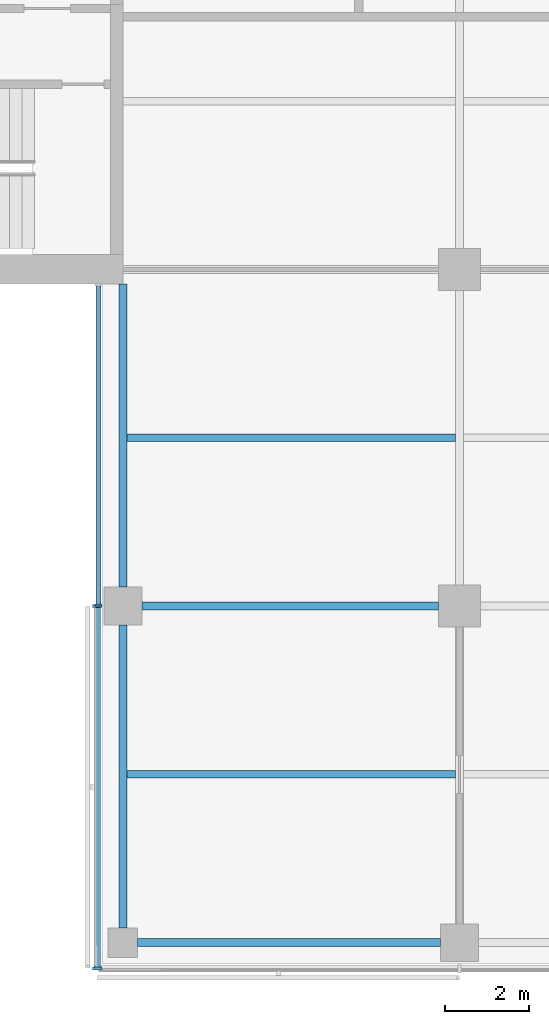
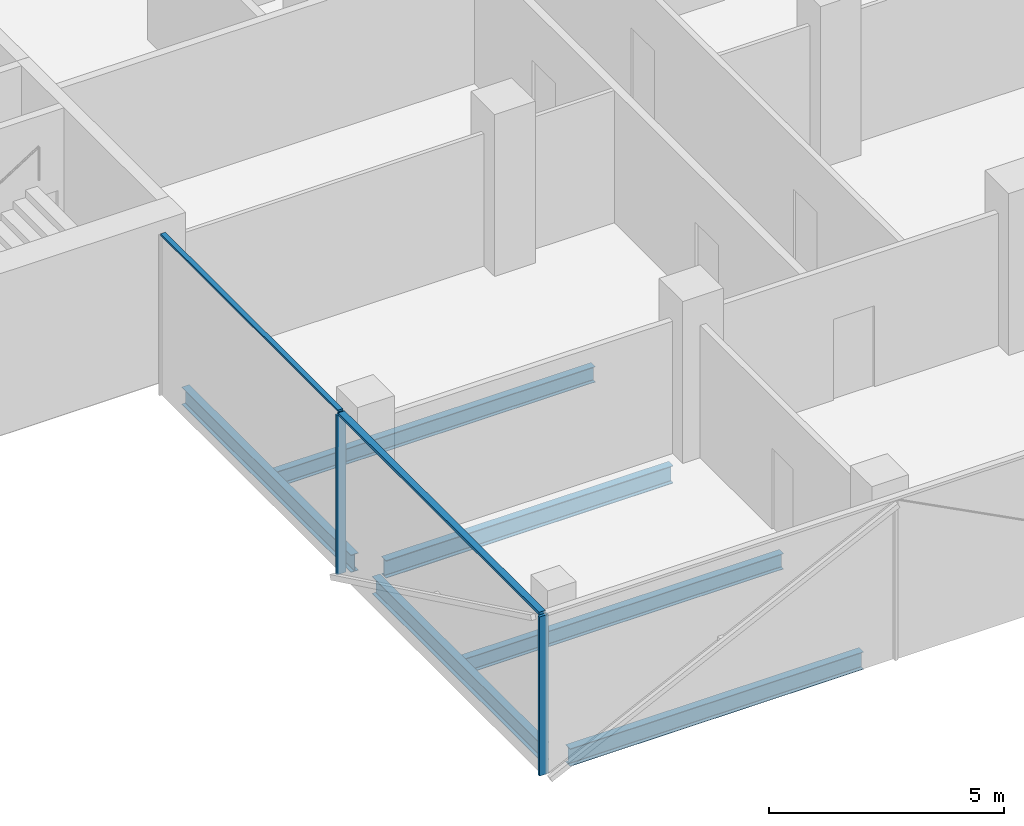
# One storey, part 2 of 22: 6 beams, 5 members, 2 elements without a shape of their own.
"""IFC4 building model written with IfcOpenShell, lengths in metres."""

from ifc_helpers import new_model, si_unit, direction, frame, origin, origin_2d, place, context, subcontext, project, spatial, rectangle, i_section, extrude, material, material_profile, profile_set, type_object, element, aggregate, save


model = new_model("IFC4")

# Units and contexts
model_context = context("Model", 3, precision=1e-05, world=origin(), true_north=direction((0.0, 1.0)))
body_context = subcontext(model_context, "Body", "Model", "MODEL_VIEW")
ifc_project = project(units=[si_unit("LENGTHUNIT", "METRE"), si_unit("AREAUNIT", "SQUARE_METRE"), si_unit("VOLUMEUNIT", "CUBIC_METRE"), si_unit("PLANEANGLEUNIT", "RADIAN"), si_unit("MASSUNIT", "GRAM", prefix="KILO")], contexts=[model_context])

# Site, building, storey
site_placement = place(None, origin())
site = spatial("IfcSite", under=ifc_project, at=site_placement, CompositionType="ELEMENT")
building_placement = place(site_placement, origin())
building = spatial("IfcBuilding", under=site, at=building_placement, Name="Crosswind Convention Tower", CompositionType="ELEMENT")
storey_placement = place(building_placement, frame((0.0, 0.0, 133.699951171875)))
storey = spatial("IfcBuildingStorey", under=building, at=storey_placement, Name="L27", CompositionType="ELEMENT", Elevation=133.699951171875)

# Beams
ifc_material_1 = material(Name="Steel S355", Category="steel")
ifc_material_profile_1 = material_profile(ifc_material_1, i_section(OverallWidth=0.18994140625, OverallDepth=0.45361328125, WebThickness=0.008544921875, FlangeThickness=0.0126953125, FilletRadius=0.01025390625, at=origin_2d()), Name="UB 457x191x67")
ifc_profile_set_1 = profile_set([ifc_material_profile_1], Name="Steel S355")
beam_type_1 = type_object("IfcBeamType", Name="Edge beam UB 457x191x67", PredefinedType="SPANDREL", material=ifc_profile_set_1)
for number, where, z_axis, x_axis, name in (
    (1, (113.0, 72.35009765625, -0.52685546875), (0.0, 1.0, 0.0), (-1.0, 0.0, 0.0), "B16 L27 edge beam 6"),
    (2, (113.0, 80.449951171875, -0.52685546875), (0.0, 1.0, 0.0), (-1.0, 0.0, 0.0), "B16 L27 edge beam 7"),
    (3, (113.35009765625, 72.0, -0.52685546875), (1.0, 0.0, 0.0), (0.0, 1.0, 0.0), "B16 L27 edge beam 10"),
):
    element("IfcBeam", number, at=place(storey_placement, frame(where, z_axis=z_axis, x_axis=x_axis)), inside=storey, type_object=beam_type_1, Name=name, PredefinedType="SPANDREL", context=body_context, shape_type="SweptSolid", body=[
        extrude(i_section(OverallWidth=0.18994140625, OverallDepth=0.45361328125, WebThickness=0.008544921875, FlangeThickness=0.0126953125, FilletRadius=0.01025390625, at=origin_2d()), origin(), (0.0, 0.0, 1.0), 7.199951171875),
    ])
ifc_material_profile_2 = material_profile(ifc_material_1, i_section(OverallWidth=0.19140625, OverallDepth=0.460205078125, WebThickness=0.010009765625, FlangeThickness=0.01611328125, FilletRadius=0.01025390625, at=origin_2d()), Name="UB 457x191x82")
ifc_profile_set_2 = profile_set([ifc_material_profile_2], Name="Steel S355")
beam_type_2 = type_object("IfcBeamType", Name="Girder UB 457x191x82", PredefinedType="BEAM", material=ifc_profile_set_2)
beam_placement = place(storey_placement, frame((113.449951171875, 80.0, -0.530029296875), z_axis=(1.0, 0.0, 0.0), x_axis=(0.0, 1.0, 0.0)))
element("IfcBeam", 4, at=beam_placement, inside=storey, type_object=beam_type_2, Name="B3 L27 girder 1", PredefinedType="BEAM", context=body_context, shape_type="SweptSolid", body=[
    extrude(i_section(OverallWidth=0.19140625, OverallDepth=0.460205078125, WebThickness=0.010009765625, FlangeThickness=0.01611328125, FilletRadius=0.01025390625, at=origin_2d()), origin(), (0.0, 0.0, 1.0), 7.050048828125),
])

# Curtain wall, member
ifc_material_2 = material(Name="Aluminium unitised curtain wall", Category="aluminium")
curtain_wall_type_1 = type_object("IfcCurtainWallType", Name="CORE END SLOT WALL 160", PredefinedType="USERDEFINED", material=ifc_material_2)
curtain_wall_1_placement = place(storey_placement, origin())
curtain_wall_1 = element("IfcCurtainWall", 5, at=curtain_wall_1_placement, inside=storey, type_object=curtain_wall_type_1, Name="CW6 L27 S-W.1-1 slot", ObjectType="UNITISED", PredefinedType="USERDEFINED")
ifc_material_3 = material(Name="Aluminium mullion", Category="aluminium")
ifc_material_profile_3 = material_profile(ifc_material_3, rectangle(XDim=0.159912109375, YDim=0.050048828125, at=origin_2d()), Name="AL 160X50")
ifc_profile_set_3 = profile_set([ifc_material_profile_3], Name="Aluminium mullion")
member_type_1 = type_object("IfcMemberType", Name="MULLION 50X160", PredefinedType="MULLION", material=ifc_profile_set_3)
member_1_placement = place(storey_placement, frame((112.419921875, 80.02490234375, -0.300048828125), z_axis=(0.0, 0.0, 1.0), x_axis=(-1.0, 0.0, 0.0)))
member_1 = element("IfcMember", 6, at=member_1_placement, type_object=member_type_1, Name="CW6 mullion 2", PredefinedType="MULLION", context=body_context, shape_type="SweptSolid", body=[
    extrude(rectangle(XDim=0.159912109375, YDim=0.050048828125, at=origin_2d()), origin(), (0.0, 0.0, 1.0), 4.150146484375),
])

# Curtain wall, members
curtain_wall_type_2 = type_object("IfcCurtainWallType", Name="OFFICE UNITISED WALL 220", PredefinedType="USERDEFINED", material=ifc_material_2)
curtain_wall_2_placement = place(storey_placement, origin())
curtain_wall_2 = element("IfcCurtainWall", 7, at=curtain_wall_2_placement, inside=storey, type_object=curtain_wall_type_2, Name="CW3 L27 S-W 1", ObjectType="UNITISED", PredefinedType="USERDEFINED")
ifc_material_profile_4 = material_profile(ifc_material_3, rectangle(XDim=0.219970703125, YDim=0.070068359375, at=origin_2d()), Name="AL 220X70")
ifc_profile_set_4 = profile_set([ifc_material_profile_4], Name="Aluminium mullion")
member_type_2 = type_object("IfcMemberType", Name="MULLION 70X220", PredefinedType="MULLION", material=ifc_profile_set_4)
member_2_placement = place(storey_placement, frame((112.389892578125, 80.0, -0.300048828125), z_axis=(0.0, 0.0, 1.0), x_axis=(-1.0, 0.0, 0.0)))
member_2 = element("IfcMember", 8, at=member_2_placement, type_object=member_type_2, Name="CW3 mullion 1", PredefinedType="MULLION", context=body_context, shape_type="SweptSolid", body=[
    extrude(rectangle(XDim=0.219970703125, YDim=0.070068359375, at=origin_2d()), origin(), (0.0, 0.0, 1.0), 4.130126953125),
])
member_3_placement = place(storey_placement, frame((112.389892578125, 71.389892578125, -0.300048828125), z_axis=(0.0, 0.0, 1.0), x_axis=(-1.0, 0.0, 0.0)))
member_3 = element("IfcMember", 9, at=member_3_placement, type_object=member_type_2, Name="CW3 mullion 2", PredefinedType="MULLION", context=body_context, shape_type="SweptSolid", body=[
    extrude(rectangle(XDim=0.219970703125, YDim=0.070068359375, at=origin_2d()), origin(), (0.0, 0.0, 1.0), 4.130126953125),
])

# Beams
ifc_material_profile_5 = material_profile(ifc_material_1, i_section(OverallWidth=0.177734375, OverallDepth=0.406494140625, WebThickness=0.0078125, FlangeThickness=0.0126953125, FilletRadius=0.01025390625, at=origin_2d()), Name="UB 406x178x60")
ifc_profile_set_5 = profile_set([ifc_material_profile_5], Name="Steel S355")
beam_type_3 = type_object("IfcBeamType", Name="Secondary beam UB 406x178x60", PredefinedType="JOIST", material=ifc_profile_set_5)
for number, where, z_axis, x_axis, name in (
    (10, (113.094970703125, 76.0, -0.503173828125), (1.0, 0.0, 0.0), (0.0, 1.0, 0.0), "B10 L27 secondary beam 7"),
    (11, (113.094970703125, 84.0, -0.503173828125), (1.0, 0.0, 0.0), (0.0, 1.0, 0.0), "B10 L27 secondary beam 8"),
):
    element("IfcBeam", number, at=place(storey_placement, frame(where, z_axis=z_axis, x_axis=x_axis)), inside=storey, type_object=beam_type_3, Name=name, PredefinedType="JOIST", context=body_context, shape_type="SweptSolid", body=[
        extrude(i_section(OverallWidth=0.177734375, OverallDepth=0.406494140625, WebThickness=0.0078125, FlangeThickness=0.0126953125, FilletRadius=0.01025390625, at=origin_2d()), origin(), (0.0, 0.0, 1.0), 7.809326171875),
    ])

# Member
ifc_material_4 = material(Name="Aluminium transom", Category="aluminium")
ifc_material_profile_6 = material_profile(ifc_material_4, rectangle(XDim=0.1201171875, YDim=0.050048828125, at=origin_2d()), Name="AL 120X50")
ifc_profile_set_6 = profile_set([ifc_material_profile_6], Name="Aluminium transom")
member_type_3 = type_object("IfcMemberType", Name="TRANSOM 50X120", PredefinedType="USERDEFINED", material=ifc_profile_set_6)
member_4_placement = place(storey_placement, frame((112.419921875, 87.60009765625, 3.875), z_axis=(0.0, -1.0, 0.0), x_axis=(1.0, 0.0, 0.0)))
member_4 = element("IfcMember", 12, at=member_4_placement, type_object=member_type_3, Name="CW6 transom", ObjectType="TRANSOM", PredefinedType="USERDEFINED", context=body_context, shape_type="SweptSolid", body=[
    extrude(rectangle(XDim=0.1201171875, YDim=0.050048828125, at=origin_2d()), origin(), (0.0, 0.0, 1.0), 7.550048828125),
])

aggregate(curtain_wall_1, [member_1, member_4])

ifc_material_profile_7 = material_profile(ifc_material_4, rectangle(XDim=0.159912109375, YDim=0.070068359375, at=origin_2d()), Name="AL 160X70")
ifc_profile_set_7 = profile_set([ifc_material_profile_7], Name="Aluminium transom")
member_type_4 = type_object("IfcMemberType", Name="TRANSOM 70X160", PredefinedType="USERDEFINED", material=ifc_profile_set_7)
member_5_placement = place(storey_placement, frame((112.389892578125, 79.965087890625, 3.864990234375), z_axis=(0.0, -1.0, 0.0), x_axis=(1.0, 0.0, 0.0)))
member_5 = element("IfcMember", 13, at=member_5_placement, type_object=member_type_4, Name="CW3 transom", ObjectType="TRANSOM", PredefinedType="USERDEFINED", context=body_context, shape_type="SweptSolid", body=[
    extrude(rectangle(XDim=0.159912109375, YDim=0.070068359375, at=origin_2d()), origin(), (0.0, 0.0, 1.0), 8.5400390625),
])

aggregate(curtain_wall_2, [member_2, member_3, member_5])

save(model, "model.ifc")
